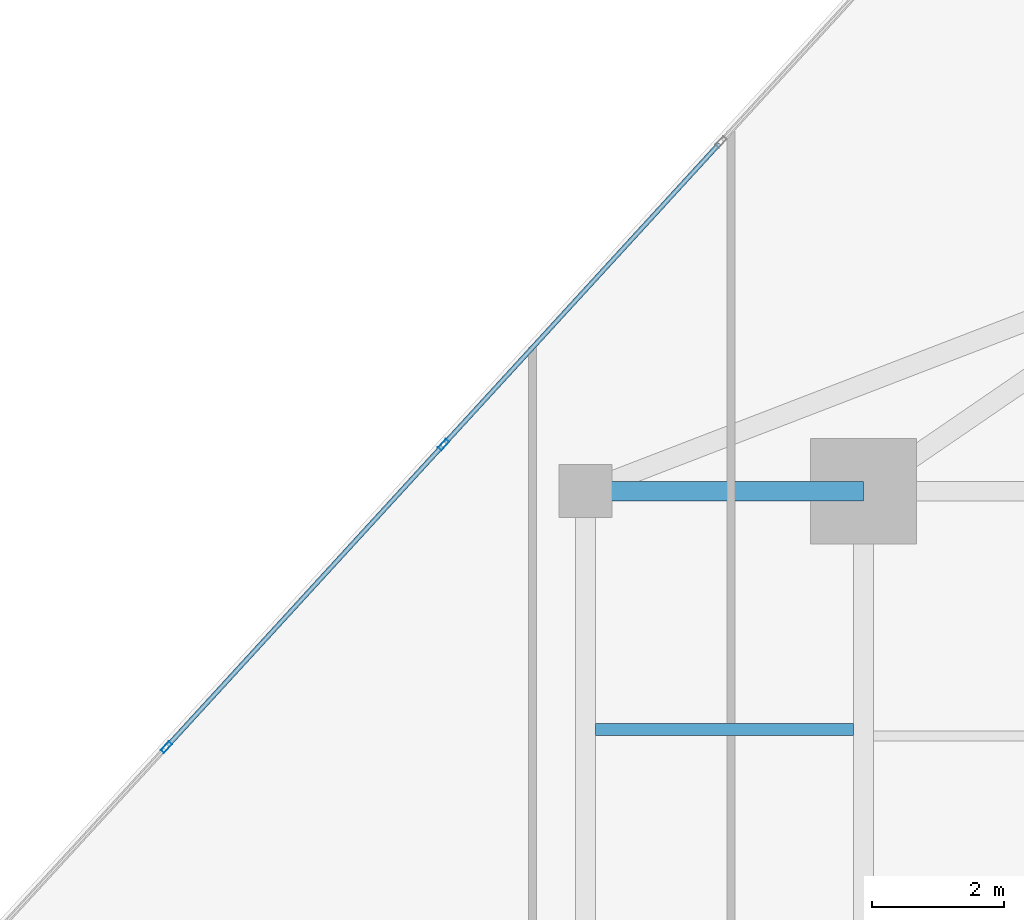
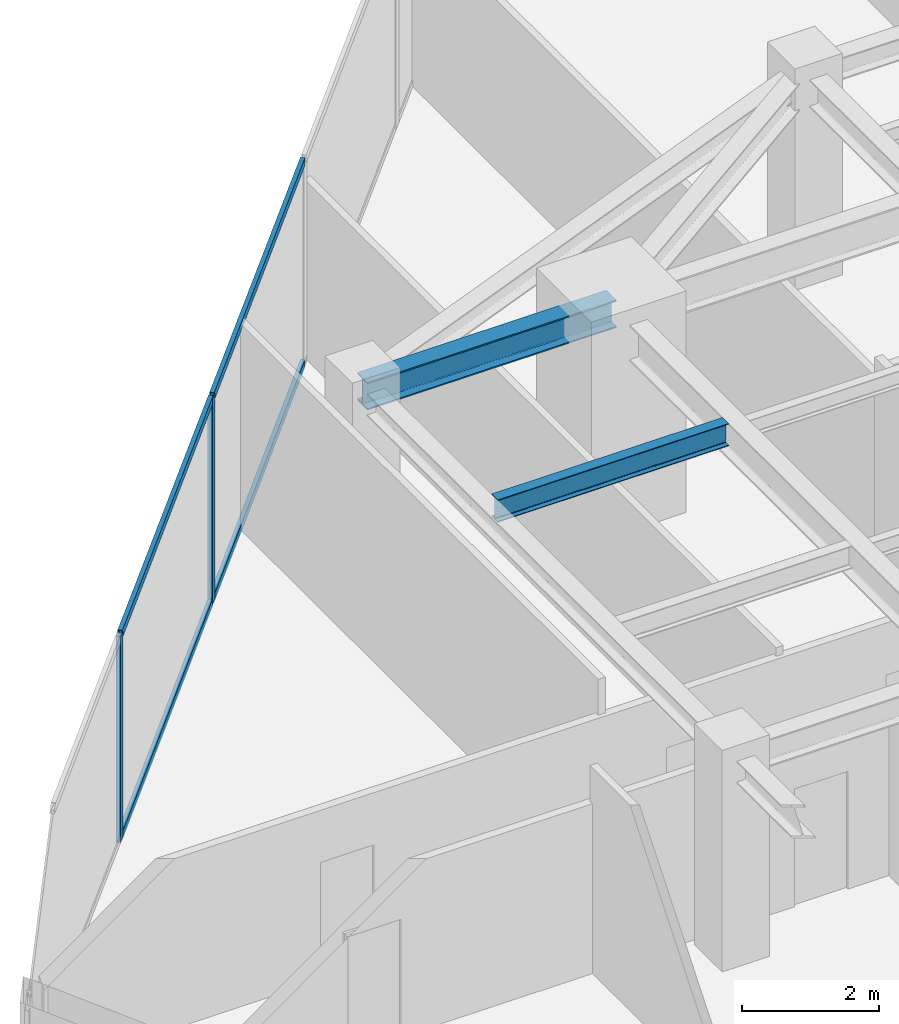
# One storey, part 14 of 26: 6 members, 2 beams, 1 element without a shape of its own.
"""IFC4 building model written with IfcOpenShell, lengths in metres."""

import ifcopenshell
import ifcopenshell.guid

model = None  # the IFC model being written
_history = None  # IfcOwnerHistory: only IFC2X3 demands one
_inside = {}  # id of a spatial element -> (the spatial element, [elements in it])
_under = {}  # id of a project, library or spatial element -> (it, [spatial elements below it])
_declared = {}  # id of a project -> (the project, [libraries it declares])
_typed = {}  # id of a type object -> (the type object, [elements of that type])
_made_of = {}  # id of a material, layer set ... -> (it, [elements and type objects made of it])


def new_model(schema):
    """Start an empty IFC model of exactly this schema.

    Asked for "IFC4X3", IfcOpenShell would pick the latest addendum, in which some entities
    have other attributes; the version numbers below select the first issue.
    IFC2X3 requires an IfcOwnerHistory on every rooted entity: one is made here for all.
    """
    global model, _history
    if schema == "IFC4X3":
        model = ifcopenshell.file(schema_version=(4, 3, 0, 0))
    else:
        model = ifcopenshell.file(schema=schema)
    _inside.clear()
    _under.clear()
    _declared.clear()
    _typed.clear()
    _made_of.clear()
    _history = None
    if model.schema == "IFC2X3":
        org = make("IfcOrganization", Name="unknown")
        user = make(
            "IfcPersonAndOrganization",
            ThePerson=make("IfcPerson", FamilyName="unknown"),
            TheOrganization=org,
        )
        app = make(
            "IfcApplication",
            ApplicationDeveloper=org,
            Version="unknown",
            ApplicationFullName="unknown",
            ApplicationIdentifier="unknown",
        )
        _history = make(
            "IfcOwnerHistory",
            OwningUser=user,
            OwningApplication=app,
            ChangeAction="ADDED",
            CreationDate=0,
        )
    return model


def make(cls, **values):
    """One entity of the class cls with the attributes given. An attribute that is None is left unset."""
    return model.create_entity(
        cls, **{name: value for name, value in values.items() if value is not None}
    )


def rooted(cls, **values):
    """An entity with a GlobalId (a new one), such as an element, a storey or a relation."""
    return make(cls, GlobalId=ifcopenshell.guid.new(), OwnerHistory=_history, **values)


def si_unit(unit_type, name, prefix=None):
    """IfcSIUnit, for example si_unit("LENGTHUNIT", "METRE", prefix="MILLI")."""
    return make("IfcSIUnit", UnitType=unit_type, Prefix=prefix, Name=name)


def assignment(units):
    """IfcUnitAssignment: the units of a project."""
    return None if units is None else make("IfcUnitAssignment", Units=units)


def point(xyz):
    """IfcCartesianPoint."""
    return None if xyz is None else make("IfcCartesianPoint", Coordinates=xyz)


def direction(xyz):
    """IfcDirection."""
    return None if xyz is None else make("IfcDirection", DirectionRatios=xyz)


def frame(location, z_axis=None, x_axis=None):
    """IfcAxis2Placement3D, a coordinate frame: its origin and axes. An axis left out is left unset."""
    return make(
        "IfcAxis2Placement3D",
        Location=point(location),
        Axis=direction(z_axis),
        RefDirection=direction(x_axis),
    )


def frame_2d(location, x_axis=None):
    """IfcAxis2Placement2D, a coordinate frame in the plane: its origin and x axis."""
    return make(
        "IfcAxis2Placement2D", Location=point(location), RefDirection=direction(x_axis)
    )


def origin():
    """The frame at (0, 0, 0) with its axes left unset."""
    return frame((0.0, 0.0, 0.0))


def origin_2d():
    """The frame at (0, 0) in the plane with its x axis left unset."""
    return frame_2d((0.0, 0.0))


def place(relative_to, where):
    """IfcLocalPlacement: puts the frame where relative to a parent placement (None: the world)."""
    return make(
        "IfcLocalPlacement", PlacementRelTo=relative_to, RelativePlacement=where
    )


def context(
    kind, dimensions, precision=None, world=None, true_north=None, identifier=None
):
    """IfcGeometricRepresentationContext, for example the 3D "Model" context."""
    return make(
        "IfcGeometricRepresentationContext",
        ContextIdentifier=identifier,
        ContextType=kind,
        CoordinateSpaceDimension=dimensions,
        Precision=precision,
        WorldCoordinateSystem=world,
        TrueNorth=true_north,
    )


def subcontext(parent, identifier, kind, view, scale=None):
    """IfcGeometricRepresentationSubContext, for example "Body" below "Model"."""
    return make(
        "IfcGeometricRepresentationSubContext",
        ContextIdentifier=identifier,
        ContextType=kind,
        ParentContext=parent,
        TargetScale=scale,
        TargetView=view,
    )


def project(units=None, contexts=None):
    """IfcProject with its units and contexts."""
    return rooted(
        "IfcProject",
        Name="project",
        RepresentationContexts=contexts,
        UnitsInContext=assignment(units),
    )


def spatial(cls, under=None, at=None, **own):
    """A site, building, storey or space (cls), placed at a placement, below another one or the project."""
    s = rooted(cls, ObjectPlacement=at, **own)
    if under is not None:
        _under.setdefault(under.id(), (under, []))[1].append(s)
    return s


def profile(cls, at=None, kind="AREA", **sizes):
    """A parametric profile (cls). Its sizes go by their IFC names, for example OverallWidth=200.0."""
    return make(cls, ProfileType=kind, Position=at, **sizes)


def hollow_rectangle(**sizes):
    """IfcRectangleHollowProfileDef."""
    return profile("IfcRectangleHollowProfileDef", **sizes)


def i_section(**sizes):
    """IfcIShapeProfileDef."""
    return profile("IfcIShapeProfileDef", **sizes)


def extrude(swept, where, along, depth):
    """IfcExtrudedAreaSolid: the profile swept, set in the frame where, extruded along a direction by depth."""
    return make(
        "IfcExtrudedAreaSolid",
        SweptArea=swept,
        Position=where,
        ExtrudedDirection=direction(along),
        Depth=depth,
    )


def shape(context_of_items, identifier, shape_type, items):
    """IfcShapeRepresentation: the items that make up one representation, for example the "Body"."""
    return make(
        "IfcShapeRepresentation",
        ContextOfItems=context_of_items,
        RepresentationIdentifier=identifier,
        RepresentationType=shape_type,
        Items=items,
    )


def source(mapping_origin, context_of_items, identifier, shape_type, items):
    """IfcRepresentationMap: a shape defined once, which mapped items show again and again."""
    return make(
        "IfcRepresentationMap",
        MappingOrigin=mapping_origin,
        MappedRepresentation=shape(context_of_items, identifier, shape_type, items),
    )


def transform(
    local_origin,
    x_axis=None,
    y_axis=None,
    z_axis=None,
    scale=None,
    scale2=None,
    scale3=None,
    uniform=True,
):
    """IfcCartesianTransformationOperator3D, or its non-uniform kind. x_axis, y_axis, z_axis: its Axis1, 2, 3."""
    if uniform:
        return make(
            "IfcCartesianTransformationOperator3D",
            Axis1=direction(x_axis),
            Axis2=direction(y_axis),
            LocalOrigin=point(local_origin),
            Scale=scale,
            Axis3=direction(z_axis),
        )
    return make(
        "IfcCartesianTransformationOperator3DnonUniform",
        Axis1=direction(x_axis),
        Axis2=direction(y_axis),
        LocalOrigin=point(local_origin),
        Scale=scale,
        Axis3=direction(z_axis),
        Scale2=scale2,
        Scale3=scale3,
    )


def mapped(mapping_source, mapping_target):
    """IfcMappedItem: shows the shape of a source again, moved by a transform."""
    return make(
        "IfcMappedItem", MappingSource=mapping_source, MappingTarget=mapping_target
    )


def material(Name=None, Category=None):
    """IfcMaterial."""
    return make("IfcMaterial", Name=Name, Category=Category)


def material_profile(
    of_material, cross_section, Name=None, Category=None, Priority=None
):
    """IfcMaterialProfile: a cross section and its material."""
    return make(
        "IfcMaterialProfile",
        Name=Name,
        Material=of_material,
        Profile=cross_section,
        Priority=Priority,
        Category=Category,
    )


def profile_set(profiles, Name=None, composite=None):
    """IfcMaterialProfileSet."""
    return make(
        "IfcMaterialProfileSet",
        Name=Name,
        MaterialProfiles=profiles,
        CompositeProfile=composite,
    )


def made_of(thing, what):
    """Note that an element or type object is made of a material, layer set ...; save() writes the relation."""
    if what is not None:
        _made_of.setdefault(what.id(), (what, []))[1].append(thing)
    return thing


def type_object(cls, material=None, **own):
    """A type object (cls), such as IfcWallType, which elements share."""
    return made_of(rooted(cls, **own), material)


def type_shapes(of_type, sources):
    """Give a type object the sources (RepresentationMaps) that its elements show as mapped items."""
    of_type.RepresentationMaps = sources


def element(
    cls,
    number,
    at=None,
    inside=None,
    cuts=None,
    type_object=None,
    material=None,
    context=None,
    identifier="Body",
    shape_type=None,
    held_by="IfcProductDefinitionShape",
    body=None,
    shapes=None,
    **own,
):
    """One element of the class cls, such as IfcWall. Its Tag is "e" and its number.

    at: its placement. inside: the storey or other place that contains it. cuts: it is an
    opening in that element (IfcRelVoidsElement). A single representation is given by context,
    identifier, shape_type and body (its items); several are given by shapes. held_by: the class
    of the entity that holds the representations. save() writes the other relations.
    """
    e = rooted(cls, Tag="e%d" % number, ObjectPlacement=at, **own)
    if body is not None:
        shapes = [shape(context, identifier, shape_type, body)]
    if shapes is not None:
        e.Representation = make(held_by, Representations=shapes)
    if inside is not None:
        _inside.setdefault(inside.id(), (inside, []))[1].append(e)
    if cuts is not None:
        rooted(
            "IfcRelVoidsElement", RelatingBuildingElement=cuts, RelatedOpeningElement=e
        )
    if type_object is not None:
        _typed.setdefault(type_object.id(), (type_object, []))[1].append(e)
    return made_of(e, material)


def aggregate(whole, parts):
    """IfcRelAggregates: a whole, such as a stair, and the parts it consists of."""
    return rooted("IfcRelAggregates", RelatingObject=whole, RelatedObjects=parts)


def save(model, path):
    """Write the relations noted so far, then the file.

    IfcRelAggregates (storeys below a building ...), IfcRelContainedInSpatialStructure (elements
    in a storey), IfcRelDefinesByType, IfcRelAssociatesMaterial and IfcRelDeclares: one each for
    every whole, place, type object, material and project.
    """
    for whole, parts in _under.values():
        aggregate(whole, parts)
    for where, things in _inside.values():
        rooted(
            "IfcRelContainedInSpatialStructure",
            RelatedElements=things,
            RelatingStructure=where,
        )
    for kind, things in _typed.values():
        rooted("IfcRelDefinesByType", RelatedObjects=things, RelatingType=kind)
    for what, things in _made_of.values():
        rooted("IfcRelAssociatesMaterial", RelatedObjects=things, RelatingMaterial=what)
    for by, libraries in _declared.values():
        rooted("IfcRelDeclares", RelatingContext=by, RelatedDefinitions=libraries)
    model.write(path)


model = new_model("IFC4")

# Units and contexts
model_context = context("Model", 3, precision=1e-05, world=origin(), true_north=direction((0.0, 1.0)))
body_context = subcontext(model_context, "Body", "Model", "MODEL_VIEW")
ifc_project = project(units=[si_unit("LENGTHUNIT", "METRE"), si_unit("AREAUNIT", "SQUARE_METRE"), si_unit("VOLUMEUNIT", "CUBIC_METRE"), si_unit("PLANEANGLEUNIT", "RADIAN"), si_unit("MASSUNIT", "GRAM", prefix="KILO")], contexts=[model_context])

# Site, building, storey
site_placement = place(None, origin())
site = spatial("IfcSite", under=ifc_project, at=site_placement, CompositionType="ELEMENT")
building_placement = place(site_placement, origin())
building = spatial("IfcBuilding", under=site, at=building_placement, Name="Krantzveldt Concourse Tower", CompositionType="ELEMENT")
storey_placement = place(building_placement, frame((0.0, 0.0, 219.14990234375)))
storey = spatial("IfcBuildingStorey", under=building, at=storey_placement, Name="L53", CompositionType="ELEMENT", Elevation=219.14990234375)

# Beams
ifc_material_1 = material(Name="Steel S355JR", Category="steel")
ifc_material_profile_1 = material_profile(ifc_material_1, i_section(OverallWidth=0.300048828125, OverallDepth=0.489990234375, WebThickness=0.011962890625, FlangeThickness=0.02294921875, FilletRadius=0.027099609375, at=origin_2d()), Name="Steel S355JR", Category="steel")
ifc_profile_set_1 = profile_set([ifc_material_profile_1], Name="Steel S355JR - HEA 500")
beam_type_1 = type_object("IfcBeamType", Name="BM-B-HEA500", PredefinedType="BEAM", material=ifc_profile_set_1)
shared_shape_1 = source(origin(), body_context, "Body", "SweptSolid", [
    extrude(i_section(OverallWidth=0.300048828125, OverallDepth=0.489990234375, WebThickness=0.011962890625, FlangeThickness=0.02294921875, FilletRadius=0.027099609375, at=origin_2d()), origin(), (0.0, 0.0, 1.0), 4.199951171875),
])
type_shapes(beam_type_1, [shared_shape_1])
beam_1_placement = place(storey_placement, frame((21.0, 37.5, 3.425048828125), z_axis=(1.0, 0.0, 0.0), x_axis=(0.0, 1.0, 0.0)))
element("IfcBeam", 1, at=beam_1_placement, inside=storey, type_object=beam_type_1, Name="L53 Tower Girder BR-RL3", PredefinedType="BEAM", context=body_context, shape_type="MappedRepresentation", body=[
    mapped(shared_shape_1, transform((0.0, 0.0, 0.0), x_axis=(1.0, 0.0, 0.0), y_axis=(0.0, 1.0, 0.0), z_axis=(0.0, 0.0, 1.0), scale=1.0)),
])
ifc_material_profile_2 = material_profile(ifc_material_1, i_section(OverallWidth=0.179931640625, OverallDepth=0.39990234375, WebThickness=0.008544921875, FlangeThickness=0.013427734375, FilletRadius=0.02099609375, at=origin_2d()), Name="Steel S355JR", Category="steel")
ifc_profile_set_2 = profile_set([ifc_material_profile_2], Name="Steel S355JR - IPE 400")
beam_type_2 = type_object("IfcBeamType", Name="BM-J-IPE400", PredefinedType="JOIST", material=ifc_profile_set_2)
shared_shape_2 = source(origin(), body_context, "Body", "SweptSolid", [
    extrude(i_section(OverallWidth=0.179931640625, OverallDepth=0.39990234375, WebThickness=0.008544921875, FlangeThickness=0.013427734375, FilletRadius=0.02099609375, at=origin_2d()), origin(), (0.0, 0.0, 1.0), 3.900146484375),
])
type_shapes(beam_type_2, [shared_shape_2])
beam_2_placement = place(storey_placement, frame((21.14990234375, 33.89990234375, 3.47021484375), z_axis=(1.0, 0.0, 0.0), x_axis=(0.0, 1.0, 0.0)))
element("IfcBeam", 2, at=beam_2_placement, inside=storey, type_object=beam_type_2, Name="L53 Secondary Floor Joist JW-4", PredefinedType="JOIST", context=body_context, shape_type="MappedRepresentation", body=[
    mapped(shared_shape_2, transform((0.0, 0.0, 0.0), x_axis=(1.0, 0.0, 0.0), y_axis=(0.0, 1.0, 0.0), z_axis=(0.0, 0.0, 1.0), scale=1.0)),
])

# Curtain wall, members
ifc_material_2 = material(Name="Anodised aluminium 6063-T6", Category="aluminium")
curtain_wall_type = type_object("IfcCurtainWallType", Name="CW3", PredefinedType="USERDEFINED", material=ifc_material_2)
curtain_wall_placement = place(storey_placement, origin())
curtain_wall = element("IfcCurtainWall", 3, at=curtain_wall_placement, inside=storey, type_object=curtain_wall_type, Name="CW-L53-F01", ObjectType="UNITISED CURTAIN WALL", PredefinedType="USERDEFINED")
ifc_material_profile_3 = material_profile(ifc_material_2, hollow_rectangle(XDim=0.070068359375, YDim=0.179931640625, WallThickness=0.0048828125, at=origin_2d()), Name="Anodised aluminium 6063-T6", Category="aluminium")
ifc_profile_set_3 = profile_set([ifc_material_profile_3], Name="Anodised aluminium 6063-T6 - ALU-MULL 180x70x5")
member_type_1 = type_object("IfcMemberType", Name="CW-MUL-180", PredefinedType="MULLION", material=ifc_profile_set_3)
shared_shape_3 = source(origin(), body_context, "Body", "SweptSolid", [
    extrude(hollow_rectangle(XDim=0.070068359375, YDim=0.179931640625, WallThickness=0.0048828125, at=origin_2d()), origin(), (0.0, 0.0, 1.0), 3.670166015625),
])
type_shapes(member_type_1, [shared_shape_3])
member_1_placement = place(storey_placement, frame((18.85791015625, 38.203125, 0.0), z_axis=(0.0, 0.0, 1.0), x_axis=(0.737277477893, -0.675590053651, 0.0)))
member_1 = element("IfcMember", 4, at=member_1_placement, type_object=member_type_1, Name="CW-Z34 mullion 4", PredefinedType="MULLION", context=body_context, shape_type="MappedRepresentation", body=[
    mapped(shared_shape_3, transform((0.0, 0.0, 0.0), x_axis=(1.0, 0.0, 0.0), y_axis=(0.0, 1.0, 0.0), z_axis=(0.0, 0.0, 1.0), scale=1.0)),
])
member_2_placement = place(storey_placement, frame((14.669189453125, 33.632080078125, 0.0), z_axis=(0.0, 0.0, 1.0), x_axis=(0.737277477893, -0.675590053651, 0.0)))
member_2 = element("IfcMember", 5, at=member_2_placement, type_object=member_type_1, Name="CW-Z34 mullion 5", PredefinedType="MULLION", context=body_context, shape_type="MappedRepresentation", body=[
    mapped(shared_shape_3, transform((0.0, 0.0, 0.0), x_axis=(1.0, 0.0, 0.0), y_axis=(0.0, 1.0, 0.0), z_axis=(0.0, 0.0, 1.0), scale=1.0)),
])
ifc_material_profile_4 = material_profile(ifc_material_2, hollow_rectangle(XDim=0.070068359375, YDim=0.139892578125, WallThickness=0.0048828125, at=origin_2d()), Name="Anodised aluminium 6063-T6", Category="aluminium")
ifc_profile_set_4 = profile_set([ifc_material_profile_4], Name="Anodised aluminium 6063-T6 - ALU-TRAN 140x70x5")
member_type_2 = type_object("IfcMemberType", Name="CW-TRN-150", PredefinedType="USERDEFINED", material=ifc_profile_set_4)
shared_shape_4 = source(origin(), body_context, "Body", "SweptSolid", [
    extrude(hollow_rectangle(XDim=0.070068359375, YDim=0.139892578125, WallThickness=0.0048828125, at=origin_2d()), origin(), (0.0, 0.0, 1.0), 6.130126953125),
])
type_shapes(member_type_2, [shared_shape_4])
member_3_placement = place(storey_placement, frame((23.02294921875, 42.74853515625, 0.03515625), z_axis=(-0.675587551404, -0.737279770771, 0.0), x_axis=(0.737279770771, -0.675587551404, 0.0)))
member_3 = element("IfcMember", 6, at=member_3_placement, type_object=member_type_2, Name="CW-Z34 transom 3.1", ObjectType="TRANSOM", PredefinedType="USERDEFINED", context=body_context, shape_type="MappedRepresentation", body=[
    mapped(shared_shape_4, transform((0.0, 0.0, 0.0), x_axis=(1.0, 0.0, 0.0), y_axis=(0.0, 1.0, 0.0), z_axis=(0.0, 0.0, 1.0), scale=1.0)),
])
member_4_placement = place(storey_placement, frame((23.02294921875, 42.74853515625, 3.635009765625), z_axis=(-0.675587551404, -0.737279770771, 0.0), x_axis=(0.737279770771, -0.675587551404, 0.0)))
member_4 = element("IfcMember", 7, at=member_4_placement, type_object=member_type_2, Name="CW-Z34 transom 3.2", ObjectType="TRANSOM", PredefinedType="USERDEFINED", context=body_context, shape_type="MappedRepresentation", body=[
    mapped(shared_shape_4, transform((0.0, 0.0, 0.0), x_axis=(1.0, 0.0, 0.0), y_axis=(0.0, 1.0, 0.0), z_axis=(0.0, 0.0, 1.0), scale=1.0)),
])
member_5_placement = place(storey_placement, frame((18.834228515625, 38.177490234375, 0.03515625), z_axis=(-0.675587551404, -0.737279770771, 0.0), x_axis=(0.737279770771, -0.675587551404, 0.0)))
member_5 = element("IfcMember", 8, at=member_5_placement, type_object=member_type_2, Name="CW-Z34 transom 4.1", ObjectType="TRANSOM", PredefinedType="USERDEFINED", context=body_context, shape_type="MappedRepresentation", body=[
    mapped(shared_shape_4, transform((0.0, 0.0, 0.0), x_axis=(1.0, 0.0, 0.0), y_axis=(0.0, 1.0, 0.0), z_axis=(0.0, 0.0, 1.0), scale=1.0)),
])
member_6_placement = place(storey_placement, frame((18.834228515625, 38.177490234375, 3.635009765625), z_axis=(-0.675587551404, -0.737279770771, 0.0), x_axis=(0.737279770771, -0.675587551404, 0.0)))
member_6 = element("IfcMember", 9, at=member_6_placement, type_object=member_type_2, Name="CW-Z34 transom 4.2", ObjectType="TRANSOM", PredefinedType="USERDEFINED", context=body_context, shape_type="MappedRepresentation", body=[
    mapped(shared_shape_4, transform((0.0, 0.0, 0.0), x_axis=(1.0, 0.0, 0.0), y_axis=(0.0, 1.0, 0.0), z_axis=(0.0, 0.0, 1.0), scale=1.0)),
])
aggregate(curtain_wall, [member_1, member_2, member_3, member_4, member_5, member_6])

save(model, "model.ifc")
